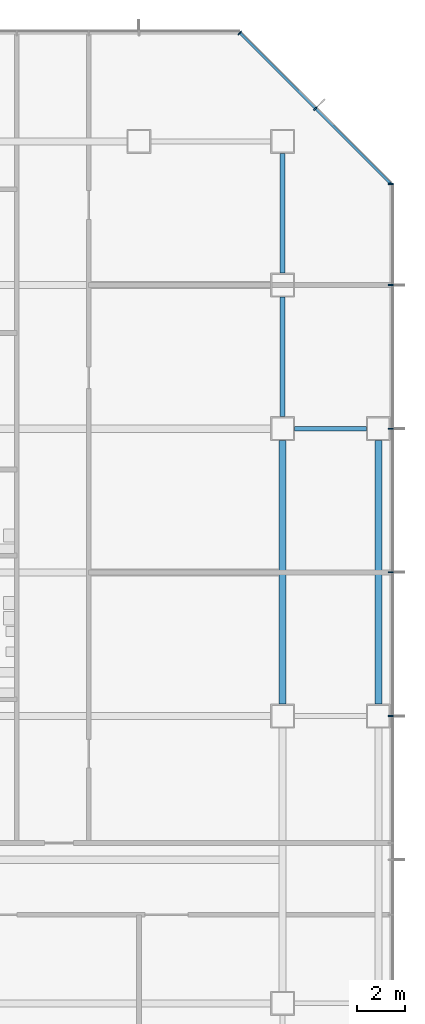
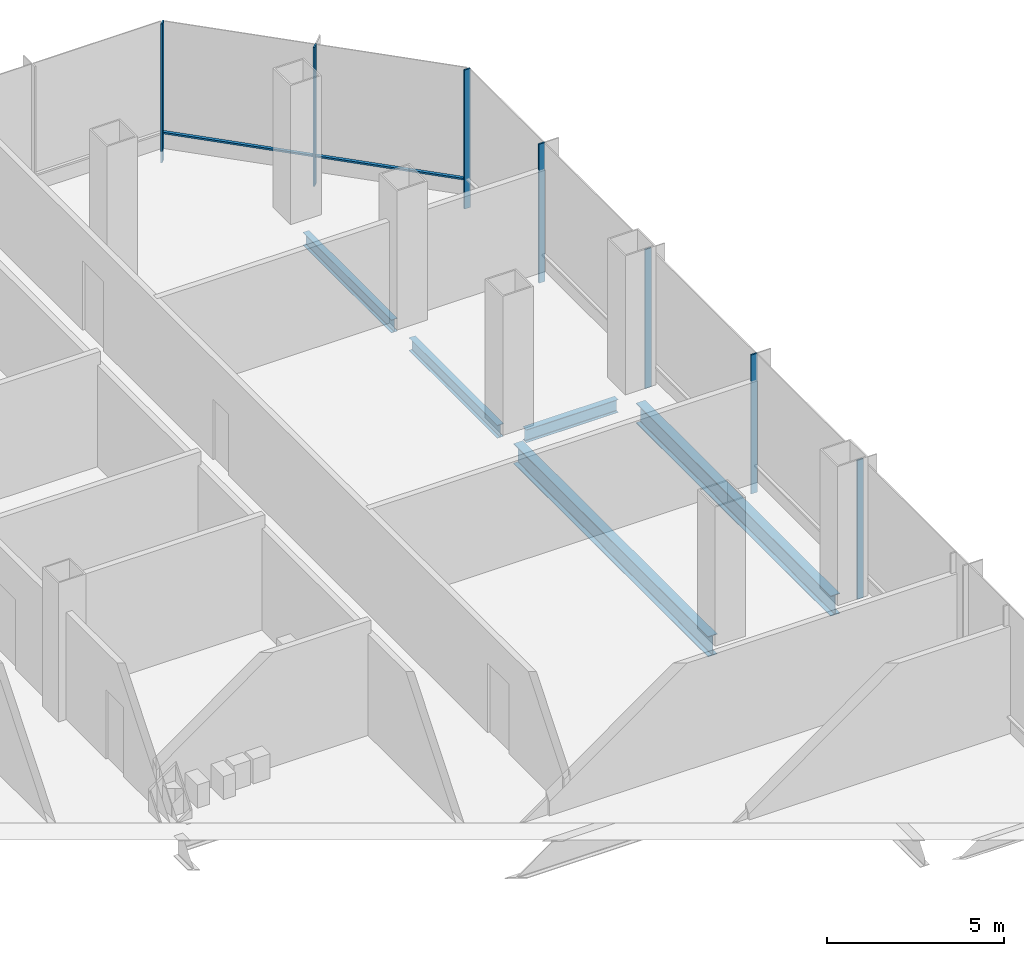
# One storey, part 19 of 33: 8 members, 5 beams, 2 elements without a shape of their own.
"""IFC4 building model written with IfcOpenShell, lengths in metres."""

from ifc_helpers import new_model, si_unit, direction, frame, origin, origin_2d, place, context, subcontext, project, spatial, rectangle, i_section, extrude, material, material_profile, profile_set, type_object, element, aggregate, save


model = new_model("IFC4")

# Units and contexts
model_context = context("Model", 3, precision=1e-05, world=origin(), true_north=direction((0.0, 1.0)))
body_context = subcontext(model_context, "Body", "Model", "MODEL_VIEW")
ifc_project = project(units=[si_unit("LENGTHUNIT", "METRE"), si_unit("AREAUNIT", "SQUARE_METRE"), si_unit("VOLUMEUNIT", "CUBIC_METRE"), si_unit("PLANEANGLEUNIT", "RADIAN"), si_unit("MASSUNIT", "GRAM", prefix="KILO")], contexts=[model_context])

# Site, building, storey
site_placement = place(None, origin())
site = spatial("IfcSite", under=ifc_project, at=site_placement, CompositionType="ELEMENT")
building_placement = place(site_placement, origin())
building = spatial("IfcBuilding", under=site, at=building_placement, Name="Sorahane Residences", CompositionType="ELEMENT")
storey_placement = place(building_placement, frame((0.0, 0.0, 30.0)))
storey = spatial("IfcBuildingStorey", under=building, at=storey_placement, Name="L04", CompositionType="ELEMENT", Elevation=30.0)

# Curtain wall, members
ifc_material_1 = material(Name="Dark low-e glass and black anodised aluminium", Category="aluminium")
curtain_wall_type = type_object("IfcCurtainWallType", Name="Curtain wall CW-3 Podium unitised wall", PredefinedType="NOTDEFINED", material=ifc_material_1)
curtain_wall_1_placement = place(storey_placement, origin())
curtain_wall_1 = element("IfcCurtainWall", 1, at=curtain_wall_1_placement, inside=storey, type_object=curtain_wall_type, Name="CW-3 curtain wall L04 E1", PredefinedType="NOTDEFINED")
ifc_material_2 = material(Name="Black anodised aluminium", Category="aluminium")
ifc_material_profile_1 = material_profile(ifc_material_2, rectangle(XDim=0.199951171875, YDim=0.050048828125, at=origin_2d()), Name="Curtain wall mullion CW-3 black anodised aluminium 50x200")
ifc_profile_set_1 = profile_set([ifc_material_profile_1], Name="Black anodised aluminium")
member_type_1 = type_object("IfcMemberType", Name="Curtain wall mullion CW-3 black anodised aluminium 50x200", PredefinedType="MULLION", material=ifc_profile_set_1)
member_1_placement = place(storey_placement, frame((70.52001953125, 24.0, -0.39990234375), z_axis=(0.0, 0.0, 1.0), x_axis=(1.0, 0.0, 0.0)))
member_1 = element("IfcMember", 2, at=member_1_placement, type_object=member_type_1, Name="CW-3 mullion L04 E1.7", PredefinedType="MULLION", context=body_context, shape_type="SweptSolid", body=[
    extrude(rectangle(XDim=0.199951171875, YDim=0.050048828125, at=origin_2d()), origin(), (0.0, 0.0, 1.0), 4.7998046875),
])
member_2_placement = place(storey_placement, frame((70.52001953125, 30.0, -0.39990234375), z_axis=(0.0, 0.0, 1.0), x_axis=(1.0, 0.0, 0.0)))
member_2 = element("IfcMember", 3, at=member_2_placement, type_object=member_type_1, Name="CW-3 mullion L04 E1.8", PredefinedType="MULLION", context=body_context, shape_type="SweptSolid", body=[
    extrude(rectangle(XDim=0.199951171875, YDim=0.050048828125, at=origin_2d()), origin(), (0.0, 0.0, 1.0), 4.7998046875),
])
member_3_placement = place(storey_placement, frame((70.52001953125, 36.0, -0.39990234375), z_axis=(0.0, 0.0, 1.0), x_axis=(1.0, 0.0, 0.0)))
member_3 = element("IfcMember", 4, at=member_3_placement, type_object=member_type_1, Name="CW-3 mullion L04 E1.9", PredefinedType="MULLION", context=body_context, shape_type="SweptSolid", body=[
    extrude(rectangle(XDim=0.199951171875, YDim=0.050048828125, at=origin_2d()), origin(), (0.0, 0.0, 1.0), 4.7998046875),
])
member_4_placement = place(storey_placement, frame((70.52001953125, 42.0, -0.39990234375), z_axis=(0.0, 0.0, 1.0), x_axis=(1.0, 0.0, 0.0)))
member_4 = element("IfcMember", 5, at=member_4_placement, type_object=member_type_1, Name="CW-3 mullion L04 E1.10", PredefinedType="MULLION", context=body_context, shape_type="SweptSolid", body=[
    extrude(rectangle(XDim=0.199951171875, YDim=0.050048828125, at=origin_2d()), origin(), (0.0, 0.0, 1.0), 4.7998046875),
])
member_5_placement = place(storey_placement, frame((70.52001953125, 46.2236328125, -0.39990234375), z_axis=(0.0, 0.0, 1.0), x_axis=(1.0, 0.0, 0.0)))
member_5 = element("IfcMember", 6, at=member_5_placement, type_object=member_type_1, Name="CW-3 mullion L04 E1.11", PredefinedType="MULLION", context=body_context, shape_type="SweptSolid", body=[
    extrude(rectangle(XDim=0.199951171875, YDim=0.050048828125, at=origin_2d()), origin(), (0.0, 0.0, 1.0), 4.7998046875),
])
aggregate(curtain_wall_1, [member_1, member_2, member_3, member_4, member_5])

curtain_wall_2_placement = place(storey_placement, origin())
curtain_wall_2 = element("IfcCurtainWall", 7, at=curtain_wall_2_placement, inside=storey, type_object=curtain_wall_type, Name="CW-3 curtain wall L04 NE1", PredefinedType="NOTDEFINED")
member_6_placement = place(storey_placement, frame((67.36767578125, 49.36767578125, -0.39990234375), z_axis=(0.0, 0.0, 1.0), x_axis=(0.707106781187, 0.707106781187, 0.0)))
member_6 = element("IfcMember", 8, at=member_6_placement, type_object=member_type_1, Name="CW-3 mullion L04 NE1.2", PredefinedType="MULLION", context=body_context, shape_type="SweptSolid", body=[
    extrude(rectangle(XDim=0.199951171875, YDim=0.050048828125, at=origin_2d()), origin(), (0.0, 0.0, 1.0), 4.7998046875),
])
member_7_placement = place(storey_placement, frame((64.209716796875, 52.525634765625, -0.39990234375), z_axis=(0.0, 0.0, 1.0), x_axis=(0.707106781187, 0.707106781187, 0.0)))
member_7 = element("IfcMember", 9, at=member_7_placement, type_object=member_type_1, Name="CW-3 mullion L04 NE1.3", PredefinedType="MULLION", context=body_context, shape_type="SweptSolid", body=[
    extrude(rectangle(XDim=0.199951171875, YDim=0.050048828125, at=origin_2d()), origin(), (0.0, 0.0, 1.0), 4.7998046875),
])
ifc_material_3 = material(Name="Black anodised aluminium", Category="aluminium")
ifc_material_profile_2 = material_profile(ifc_material_3, rectangle(XDim=0.10009765625, YDim=0.06005859375, at=origin_2d()), Name="Curtain wall transom CW-3 black anodised aluminium 60x100")
ifc_profile_set_2 = profile_set([ifc_material_profile_2], Name="Black anodised aluminium")
member_type_2 = type_object("IfcMemberType", Name="Curtain wall transom CW-3 black anodised aluminium 60x100", PredefinedType="USERDEFINED", material=ifc_profile_set_2)
member_8_placement = place(storey_placement, frame((70.51513671875, 46.234375, 0.60009765625), z_axis=(-0.707106781187, 0.707106781187, 0.0), x_axis=(-0.707106781187, -0.707106781187, 0.0)))
member_8 = element("IfcMember", 10, at=member_8_placement, type_object=member_type_2, Name="CW-3 transom L04 NE1", ObjectType="TRANSOM", PredefinedType="USERDEFINED", context=body_context, shape_type="SweptSolid", body=[
    extrude(rectangle(XDim=0.10009765625, YDim=0.06005859375, at=origin_2d()), origin(), (0.0, 0.0, 1.0), 8.88232421875),
])
aggregate(curtain_wall_2, [member_6, member_7, member_8])

# Beams
ifc_material_4 = material(Name="Steel Q355B", Category="steel")
ifc_material_profile_3 = material_profile(ifc_material_4, i_section(OverallWidth=0.199951171875, OverallDepth=0.449951171875, WebThickness=0.009033203125, FlangeThickness=0.013916015625, FilletRadius=0.02001953125, at=origin_2d()), Name="HN 450x200x9x14")
ifc_profile_set_3 = profile_set([ifc_material_profile_3], Name="Steel Q355B")
beam_type_1 = type_object("IfcBeamType", Name="Steel floor beam HN 450x200x9x14 Q355B", PredefinedType="BEAM", material=ifc_profile_set_3)
beam_placement = place(storey_placement, frame((66.5, 36.0, -0.625), z_axis=(1.0, 0.0, 0.0), x_axis=(0.0, 1.0, 0.0)))
element("IfcBeam", 11, at=beam_placement, inside=storey, type_object=beam_type_1, Name="Beam L04 017", PredefinedType="BEAM", context=body_context, shape_type="SweptSolid", body=[
    extrude(i_section(OverallWidth=0.199951171875, OverallDepth=0.449951171875, WebThickness=0.009033203125, FlangeThickness=0.013916015625, FilletRadius=0.02001953125, at=origin_2d()), origin(), (0.0, 0.0, 1.0), 3.0),
])
for number, where, z_axis, x_axis, name in (
    (12, (66.0, 36.5, -0.625), (0.0, 1.0, 0.0), (-1.0, 0.0, 0.0), "Beam L04 074"),
    (13, (66.0, 42.5, -0.625), (0.0, 1.0, 0.0), (-1.0, 0.0, 0.0), "Beam L04 075"),
):
    element("IfcBeam", number, at=place(storey_placement, frame(where, z_axis=z_axis, x_axis=x_axis)), inside=storey, type_object=beam_type_1, Name=name, PredefinedType="BEAM", context=body_context, shape_type="SweptSolid", body=[
        extrude(i_section(OverallWidth=0.199951171875, OverallDepth=0.449951171875, WebThickness=0.009033203125, FlangeThickness=0.013916015625, FilletRadius=0.02001953125, at=origin_2d()), origin(), (0.0, 0.0, 1.0), 5.0),
    ])
ifc_material_5 = material(Name="Steel Q355B", Category="steel")
ifc_material_profile_4 = material_profile(ifc_material_5, i_section(OverallWidth=0.300048828125, OverallDepth=0.699951171875, WebThickness=0.012939453125, FlangeThickness=0.02392578125, FilletRadius=0.028076171875, at=origin_2d()), Name="HN 700x300x13x24")
ifc_profile_set_4 = profile_set([ifc_material_profile_4], Name="Steel Q355B")
beam_type_2 = type_object("IfcBeamType", Name="Steel floor beam HN 700x300x13x24 Q355B", PredefinedType="BEAM", material=ifc_profile_set_4)
for number, where, z_axis, x_axis, name in (
    (14, (66.0, 24.5, -0.75), (0.0, 1.0, 0.0), (-1.0, 0.0, 0.0), "Beam L04 073"),
    (15, (70.0, 24.5, -0.75), (0.0, 1.0, 0.0), (-1.0, 0.0, 0.0), "Beam L04 078"),
):
    element("IfcBeam", number, at=place(storey_placement, frame(where, z_axis=z_axis, x_axis=x_axis)), inside=storey, type_object=beam_type_2, Name=name, PredefinedType="BEAM", context=body_context, shape_type="SweptSolid", body=[
        extrude(i_section(OverallWidth=0.300048828125, OverallDepth=0.699951171875, WebThickness=0.012939453125, FlangeThickness=0.02392578125, FilletRadius=0.028076171875, at=origin_2d()), origin(), (0.0, 0.0, 1.0), 11.0),
    ])

save(model, "model.ifc")
